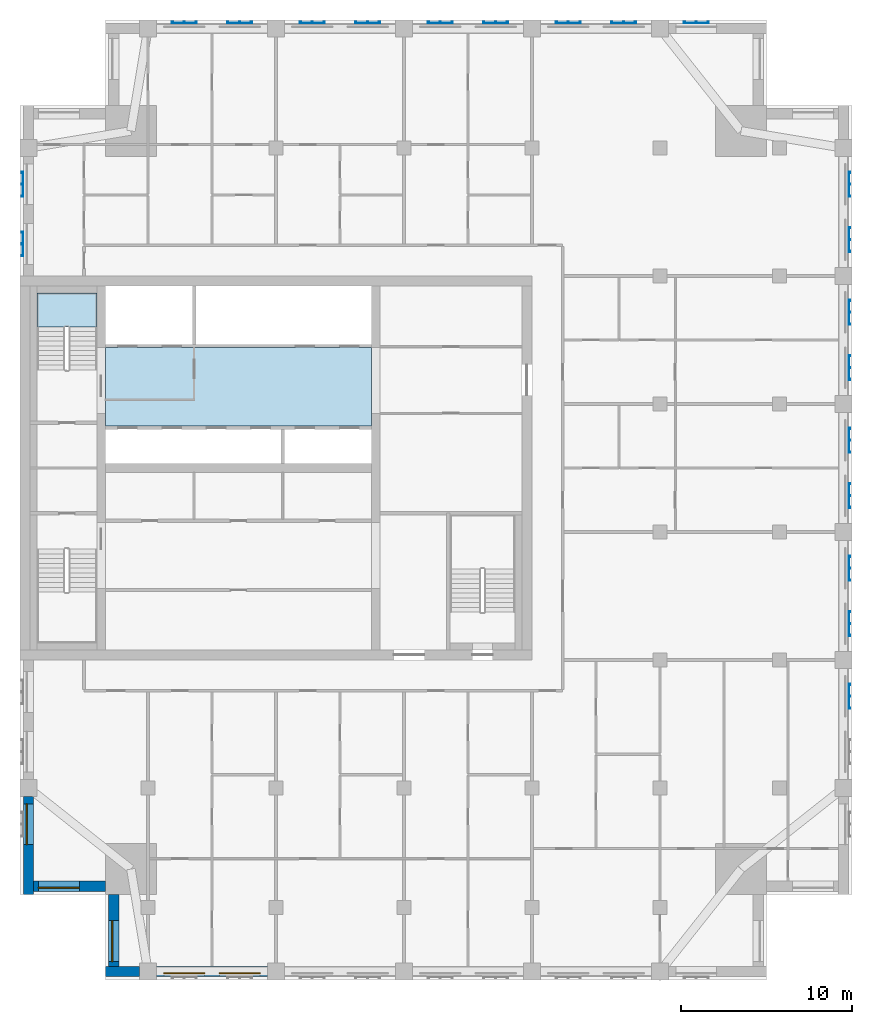
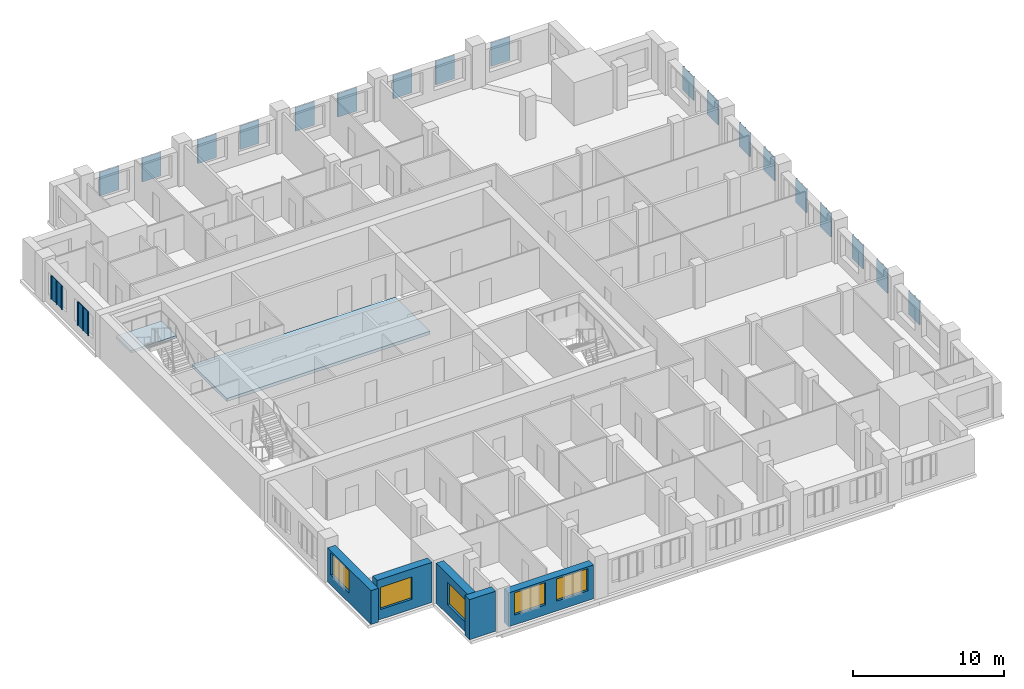
# One storey, part 2 of 11: 20 plates, 5 walls, 5 windows, 2 slabs, 5 openings, 1 element without a shape of its own.
"""IFC4 building model written with IfcOpenShell, lengths in metres."""

from ifc_helpers import new_model, si_unit, direction, frame, frame_2d, origin, place, context, subcontext, project, spatial, polyline, rectangle, outline, extrude, material, layer, layer_set, type_object, element, fill, aggregate, save


model = new_model("IFC4")

# Units and contexts
model_context = context("Model", 3, precision=1e-05, world=origin(), true_north=direction((0.0, 1.0)))
body_context = subcontext(model_context, "Body", "Model", "MODEL_VIEW")
ifc_project = project(units=[si_unit("LENGTHUNIT", "METRE"), si_unit("AREAUNIT", "SQUARE_METRE"), si_unit("VOLUMEUNIT", "CUBIC_METRE"), si_unit("PLANEANGLEUNIT", "RADIAN"), si_unit("MASSUNIT", "GRAM", prefix="KILO")], contexts=[model_context])

# Site, building, storey
site_placement = place(None, origin())
site = spatial("IfcSite", under=ifc_project, at=site_placement, CompositionType="ELEMENT")
building_placement = place(site_placement, origin())
building = spatial("IfcBuilding", under=site, at=building_placement, Name="Tamorin Gate", CompositionType="ELEMENT")
storey_placement = place(building_placement, frame((0.0, 0.0, 226.699951171875)))
storey = spatial("IfcBuildingStorey", under=building, at=storey_placement, Name="L56", CompositionType="ELEMENT", Elevation=226.699951171875)

# Slab
ifc_material_1 = material(Name="Concrete C40/50", Category="concrete")
ifc_layer_1 = layer(ifc_material_1, 0.25)
ifc_layer_set_1 = layer_set([ifc_layer_1], Name="Core floor slab 250 C40/50")
slab_type_1 = type_object("IfcSlabType", Name="Core floor slab 250 C40/50", PredefinedType="FLOOR", material=ifc_layer_set_1)
slab_1_placement = place(storey_placement, frame((0.0, 0.0, -0.25)))
element("IfcSlab", 1, at=slab_1_placement, inside=storey, type_object=slab_type_1, Name="Core floor L56", PredefinedType="FLOOR", context=body_context, shape_type="SweptSolid", body=[
    extrude(outline(polyline([(50.60009765625, 73.699951171875), (35.0, 73.699951171875), (35.0, 78.300048828125), (50.60009765625, 78.300048828125), (50.60009765625, 73.699951171875)])), origin(), (0.0, 0.0, 1.0), 0.25),
])

# Stair, slab
stair_type = type_object("IfcStairType", Name="Exit stair", PredefinedType="HALF_TURN_STAIR", material=ifc_material_1)
stair_placement = place(storey_placement, origin())
stair = element("IfcStair", 2, at=stair_placement, inside=storey, type_object=stair_type, Name="L56 stair ST2", PredefinedType="HALF_TURN_STAIR")
ifc_layer_2 = layer(ifc_material_1, 0.199951171875)
ifc_layer_set_2 = layer_set([ifc_layer_2], Name="Exit stair landing 200")
slab_type_2 = type_object("IfcSlabType", Name="Exit stair landing 200", PredefinedType="LANDING", material=ifc_layer_set_2)
slab_2_placement = place(storey_placement, frame((0.0, 0.0, 1.550048828125)))
slab_2 = element("IfcSlab", 3, at=slab_2_placement, type_object=slab_type_2, Name="ST2 landing 1", PredefinedType="LANDING", context=body_context, shape_type="SweptSolid", body=[
    extrude(outline(polyline([(34.5, 79.52001953125), (34.5, 81.5), (31.0, 81.5), (31.0, 79.52001953125), (34.5, 79.52001953125)])), origin(), (0.0, 0.0, 1.0), 0.199951171875),
])
aggregate(stair, [slab_2])

# Plates
ifc_material_2 = material(Name="Perforated pale aluminium sheet", Category="aluminium")
ifc_layer_3 = layer(ifc_material_2, 0.0400390625)
ifc_layer_set_3 = layer_set([ifc_layer_3], Name="Pale metal solar screen 1440")
plate_type = type_object("IfcPlateType", Name="Pale metal solar screen 1440", PredefinedType="SHEET", material=ifc_layer_set_3)
plate_1_placement = place(storey_placement, frame((0.0, 0.0, 0.737548828125)))
element("IfcPlate", 4, at=plate_1_placement, inside=storey, type_object=plate_type, Name="Perforated solar screen", PredefinedType="SHEET", context=body_context, shape_type="SweptSolid", body=[
    extrude(outline(polyline([(78.590087890625, 57.155029296875), (78.550048828125, 57.155029296875), (78.550048828125, 57.215087890625), (78.550048828125, 57.844970703125), (78.550048828125, 57.905029296875), (78.550048828125, 58.534912109375), (78.550048828125, 58.594970703125), (78.590087890625, 58.594970703125), (78.64990234375, 58.594970703125), (78.64990234375, 58.534912109375), (78.590087890625, 58.534912109375), (78.590087890625, 57.905029296875), (78.64990234375, 57.905029296875), (78.64990234375, 57.844970703125), (78.590087890625, 57.844970703125), (78.590087890625, 57.215087890625), (78.64990234375, 57.215087890625), (78.64990234375, 57.155029296875), (78.590087890625, 57.155029296875)])), origin(), (0.0, 0.0, 1.0), 1.925048828125),
])
plate_2_placement = place(storey_placement, frame((0.0, 0.0, 0.737548828125)))
element("IfcPlate", 5, at=plate_2_placement, inside=storey, type_object=plate_type, Name="Perforated solar screen", PredefinedType="SHEET", context=body_context, shape_type="SweptSolid", body=[
    extrude(outline(polyline([(78.590087890625, 61.405029296875), (78.550048828125, 61.405029296875), (78.550048828125, 61.465087890625), (78.550048828125, 62.094970703125), (78.550048828125, 62.155029296875), (78.550048828125, 62.784912109375), (78.550048828125, 62.844970703125), (78.590087890625, 62.844970703125), (78.64990234375, 62.844970703125), (78.64990234375, 62.784912109375), (78.590087890625, 62.784912109375), (78.590087890625, 62.155029296875), (78.64990234375, 62.155029296875), (78.64990234375, 62.094970703125), (78.590087890625, 62.094970703125), (78.590087890625, 61.465087890625), (78.64990234375, 61.465087890625), (78.64990234375, 61.405029296875), (78.590087890625, 61.405029296875)])), origin(), (0.0, 0.0, 1.0), 1.925048828125),
])
plate_3_placement = place(storey_placement, frame((0.0, 0.0, 0.737548828125)))
element("IfcPlate", 6, at=plate_3_placement, inside=storey, type_object=plate_type, Name="Perforated solar screen", PredefinedType="SHEET", context=body_context, shape_type="SweptSolid", body=[
    extrude(outline(polyline([(78.590087890625, 64.655029296875), (78.550048828125, 64.655029296875), (78.550048828125, 64.715087890625), (78.550048828125, 65.344970703125), (78.550048828125, 65.405029296875), (78.550048828125, 66.034912109375), (78.550048828125, 66.094970703125), (78.590087890625, 66.094970703125), (78.64990234375, 66.094970703125), (78.64990234375, 66.034912109375), (78.590087890625, 66.034912109375), (78.590087890625, 65.405029296875), (78.64990234375, 65.405029296875), (78.64990234375, 65.344970703125), (78.590087890625, 65.344970703125), (78.590087890625, 64.715087890625), (78.64990234375, 64.715087890625), (78.64990234375, 64.655029296875), (78.590087890625, 64.655029296875)])), origin(), (0.0, 0.0, 1.0), 1.925048828125),
])
plate_4_placement = place(storey_placement, frame((0.0, 0.0, 0.737548828125)))
element("IfcPlate", 7, at=plate_4_placement, inside=storey, type_object=plate_type, Name="Perforated solar screen", PredefinedType="SHEET", context=body_context, shape_type="SweptSolid", body=[
    extrude(outline(polyline([(78.590087890625, 68.905029296875), (78.550048828125, 68.905029296875), (78.550048828125, 68.965087890625), (78.550048828125, 69.594970703125), (78.550048828125, 69.655029296875), (78.550048828125, 70.284912109375), (78.550048828125, 70.344970703125), (78.590087890625, 70.344970703125), (78.64990234375, 70.344970703125), (78.64990234375, 70.284912109375), (78.590087890625, 70.284912109375), (78.590087890625, 69.655029296875), (78.64990234375, 69.655029296875), (78.64990234375, 69.594970703125), (78.590087890625, 69.594970703125), (78.590087890625, 68.965087890625), (78.64990234375, 68.965087890625), (78.64990234375, 68.905029296875), (78.590087890625, 68.905029296875)])), origin(), (0.0, 0.0, 1.0), 1.925048828125),
])
plate_5_placement = place(storey_placement, frame((0.0, 0.0, 0.737548828125)))
element("IfcPlate", 8, at=plate_5_placement, inside=storey, type_object=plate_type, Name="Perforated solar screen", PredefinedType="SHEET", context=body_context, shape_type="SweptSolid", body=[
    extrude(outline(polyline([(78.590087890625, 72.155029296875), (78.550048828125, 72.155029296875), (78.550048828125, 72.215087890625), (78.550048828125, 72.844970703125), (78.550048828125, 72.905029296875), (78.550048828125, 73.534912109375), (78.550048828125, 73.594970703125), (78.590087890625, 73.594970703125), (78.64990234375, 73.594970703125), (78.64990234375, 73.534912109375), (78.590087890625, 73.534912109375), (78.590087890625, 72.905029296875), (78.64990234375, 72.905029296875), (78.64990234375, 72.844970703125), (78.590087890625, 72.844970703125), (78.590087890625, 72.215087890625), (78.64990234375, 72.215087890625), (78.64990234375, 72.155029296875), (78.590087890625, 72.155029296875)])), origin(), (0.0, 0.0, 1.0), 1.925048828125),
])
plate_6_placement = place(storey_placement, frame((0.0, 0.0, 0.737548828125)))
element("IfcPlate", 9, at=plate_6_placement, inside=storey, type_object=plate_type, Name="Perforated solar screen", PredefinedType="SHEET", context=body_context, shape_type="SweptSolid", body=[
    extrude(outline(polyline([(78.590087890625, 76.405029296875), (78.550048828125, 76.405029296875), (78.550048828125, 76.465087890625), (78.550048828125, 77.094970703125), (78.550048828125, 77.155029296875), (78.550048828125, 77.784912109375), (78.550048828125, 77.844970703125), (78.590087890625, 77.844970703125), (78.64990234375, 77.844970703125), (78.64990234375, 77.784912109375), (78.590087890625, 77.784912109375), (78.590087890625, 77.155029296875), (78.64990234375, 77.155029296875), (78.64990234375, 77.094970703125), (78.590087890625, 77.094970703125), (78.590087890625, 76.465087890625), (78.64990234375, 76.465087890625), (78.64990234375, 76.405029296875), (78.590087890625, 76.405029296875)])), origin(), (0.0, 0.0, 1.0), 1.925048828125),
])
plate_7_placement = place(storey_placement, frame((0.0, 0.0, 0.737548828125)))
element("IfcPlate", 10, at=plate_7_placement, inside=storey, type_object=plate_type, Name="Perforated solar screen", PredefinedType="SHEET", context=body_context, shape_type="SweptSolid", body=[
    extrude(outline(polyline([(78.590087890625, 79.655029296875), (78.550048828125, 79.655029296875), (78.550048828125, 79.715087890625), (78.550048828125, 80.344970703125), (78.550048828125, 80.405029296875), (78.550048828125, 81.034912109375), (78.550048828125, 81.094970703125), (78.590087890625, 81.094970703125), (78.64990234375, 81.094970703125), (78.64990234375, 81.034912109375), (78.590087890625, 81.034912109375), (78.590087890625, 80.405029296875), (78.64990234375, 80.405029296875), (78.64990234375, 80.344970703125), (78.590087890625, 80.344970703125), (78.590087890625, 79.715087890625), (78.64990234375, 79.715087890625), (78.64990234375, 79.655029296875), (78.590087890625, 79.655029296875)])), origin(), (0.0, 0.0, 1.0), 1.925048828125),
])
plate_8_placement = place(storey_placement, frame((0.0, 0.0, 0.737548828125)))
element("IfcPlate", 11, at=plate_8_placement, inside=storey, type_object=plate_type, Name="Perforated solar screen", PredefinedType="SHEET", context=body_context, shape_type="SweptSolid", body=[
    extrude(outline(polyline([(78.590087890625, 83.905029296875), (78.550048828125, 83.905029296875), (78.550048828125, 83.965087890625), (78.550048828125, 84.594970703125), (78.550048828125, 84.655029296875), (78.550048828125, 85.284912109375), (78.550048828125, 85.344970703125), (78.590087890625, 85.344970703125), (78.64990234375, 85.344970703125), (78.64990234375, 85.284912109375), (78.590087890625, 85.284912109375), (78.590087890625, 84.655029296875), (78.64990234375, 84.655029296875), (78.64990234375, 84.594970703125), (78.590087890625, 84.594970703125), (78.590087890625, 83.965087890625), (78.64990234375, 83.965087890625), (78.64990234375, 83.905029296875), (78.590087890625, 83.905029296875)])), origin(), (0.0, 0.0, 1.0), 1.925048828125),
])
plate_9_placement = place(storey_placement, frame((0.0, 0.0, 0.737548828125)))
element("IfcPlate", 12, at=plate_9_placement, inside=storey, type_object=plate_type, Name="Perforated solar screen", PredefinedType="SHEET", context=body_context, shape_type="SweptSolid", body=[
    extrude(outline(polyline([(78.590087890625, 87.155029296875), (78.550048828125, 87.155029296875), (78.550048828125, 87.215087890625), (78.550048828125, 87.844970703125), (78.550048828125, 87.905029296875), (78.550048828125, 88.534912109375), (78.550048828125, 88.594970703125), (78.590087890625, 88.594970703125), (78.64990234375, 88.594970703125), (78.64990234375, 88.534912109375), (78.590087890625, 88.534912109375), (78.590087890625, 87.905029296875), (78.64990234375, 87.905029296875), (78.64990234375, 87.844970703125), (78.590087890625, 87.844970703125), (78.590087890625, 87.215087890625), (78.64990234375, 87.215087890625), (78.64990234375, 87.155029296875), (78.590087890625, 87.155029296875)])), origin(), (0.0, 0.0, 1.0), 1.925048828125),
])
plate_10_placement = place(storey_placement, frame((0.0, 0.0, 0.737548828125)))
element("IfcPlate", 13, at=plate_10_placement, inside=storey, type_object=plate_type, Name="Perforated solar screen", PredefinedType="SHEET", context=body_context, shape_type="SweptSolid", body=[
    extrude(outline(polyline([(70.344970703125, 97.340087890625), (70.344970703125, 97.300048828125), (70.284912109375, 97.300048828125), (69.655029296875, 97.300048828125), (69.594970703125, 97.300048828125), (68.965087890625, 97.300048828125), (68.905029296875, 97.300048828125), (68.905029296875, 97.300048828125), (68.905029296875, 97.340087890625), (68.905029296875, 97.340087890625), (68.905029296875, 97.39990234375), (68.965087890625, 97.39990234375), (68.965087890625, 97.340087890625), (69.594970703125, 97.340087890625), (69.594970703125, 97.39990234375), (69.655029296875, 97.39990234375), (69.655029296875, 97.340087890625), (70.284912109375, 97.340087890625), (70.284912109375, 97.39990234375), (70.344970703125, 97.39990234375), (70.344970703125, 97.340087890625)])), origin(), (0.0, 0.0, 1.0), 1.925048828125),
])
plate_11_placement = place(storey_placement, frame((0.0, 0.0, 0.737548828125)))
element("IfcPlate", 14, at=plate_11_placement, inside=storey, type_object=plate_type, Name="Perforated solar screen", PredefinedType="SHEET", context=body_context, shape_type="SweptSolid", body=[
    extrude(outline(polyline([(62.844970703125, 97.340087890625), (62.844970703125, 97.300048828125), (62.784912109375, 97.300048828125), (62.155029296875, 97.300048828125), (62.094970703125, 97.300048828125), (61.465087890625, 97.300048828125), (61.405029296875, 97.300048828125), (61.405029296875, 97.340087890625), (61.405029296875, 97.39990234375), (61.465087890625, 97.39990234375), (61.465087890625, 97.340087890625), (62.094970703125, 97.340087890625), (62.094970703125, 97.39990234375), (62.155029296875, 97.39990234375), (62.155029296875, 97.340087890625), (62.784912109375, 97.340087890625), (62.784912109375, 97.39990234375), (62.844970703125, 97.39990234375), (62.844970703125, 97.340087890625)])), origin(), (0.0, 0.0, 1.0), 1.925048828125),
])
plate_12_placement = place(storey_placement, frame((0.0, 0.0, 0.737548828125)))
element("IfcPlate", 15, at=plate_12_placement, inside=storey, type_object=plate_type, Name="Perforated solar screen", PredefinedType="SHEET", context=body_context, shape_type="SweptSolid", body=[
    extrude(outline(polyline([(66.094970703125, 97.340087890625), (66.094970703125, 97.300048828125), (66.034912109375, 97.300048828125), (65.405029296875, 97.300048828125), (65.344970703125, 97.300048828125), (64.715087890625, 97.300048828125), (64.655029296875, 97.300048828125), (64.655029296875, 97.340087890625), (64.655029296875, 97.39990234375), (64.715087890625, 97.39990234375), (64.715087890625, 97.340087890625), (65.344970703125, 97.340087890625), (65.344970703125, 97.39990234375), (65.405029296875, 97.39990234375), (65.405029296875, 97.340087890625), (66.034912109375, 97.340087890625), (66.034912109375, 97.39990234375), (66.094970703125, 97.39990234375), (66.094970703125, 97.340087890625)])), origin(), (0.0, 0.0, 1.0), 1.925048828125),
])
plate_13_placement = place(storey_placement, frame((0.0, 0.0, 0.737548828125)))
element("IfcPlate", 16, at=plate_13_placement, inside=storey, type_object=plate_type, Name="Perforated solar screen", PredefinedType="SHEET", context=body_context, shape_type="SweptSolid", body=[
    extrude(outline(polyline([(55.344970703125, 97.340087890625), (55.344970703125, 97.300048828125), (55.284912109375, 97.300048828125), (54.655029296875, 97.300048828125), (54.594970703125, 97.300048828125), (53.965087890625, 97.300048828125), (53.905029296875, 97.300048828125), (53.905029296875, 97.340087890625), (53.905029296875, 97.39990234375), (53.965087890625, 97.39990234375), (53.965087890625, 97.340087890625), (54.594970703125, 97.340087890625), (54.594970703125, 97.39990234375), (54.655029296875, 97.39990234375), (54.655029296875, 97.340087890625), (55.284912109375, 97.340087890625), (55.284912109375, 97.39990234375), (55.344970703125, 97.39990234375), (55.344970703125, 97.340087890625)])), origin(), (0.0, 0.0, 1.0), 1.925048828125),
])
plate_14_placement = place(storey_placement, frame((0.0, 0.0, 0.737548828125)))
element("IfcPlate", 17, at=plate_14_placement, inside=storey, type_object=plate_type, Name="Perforated solar screen", PredefinedType="SHEET", context=body_context, shape_type="SweptSolid", body=[
    extrude(outline(polyline([(58.594970703125, 97.340087890625), (58.594970703125, 97.300048828125), (58.534912109375, 97.300048828125), (57.905029296875, 97.300048828125), (57.844970703125, 97.300048828125), (57.215087890625, 97.300048828125), (57.155029296875, 97.300048828125), (57.155029296875, 97.340087890625), (57.155029296875, 97.39990234375), (57.215087890625, 97.39990234375), (57.215087890625, 97.340087890625), (57.844970703125, 97.340087890625), (57.844970703125, 97.39990234375), (57.905029296875, 97.39990234375), (57.905029296875, 97.340087890625), (58.534912109375, 97.340087890625), (58.534912109375, 97.39990234375), (58.594970703125, 97.39990234375), (58.594970703125, 97.340087890625)])), origin(), (0.0, 0.0, 1.0), 1.925048828125),
])
plate_15_placement = place(storey_placement, frame((0.0, 0.0, 0.737548828125)))
element("IfcPlate", 18, at=plate_15_placement, inside=storey, type_object=plate_type, Name="Perforated solar screen", PredefinedType="SHEET", context=body_context, shape_type="SweptSolid", body=[
    extrude(outline(polyline([(47.844970703125, 97.340087890625), (47.844970703125, 97.300048828125), (47.784912109375, 97.300048828125), (47.155029296875, 97.300048828125), (47.094970703125, 97.300048828125), (46.465087890625, 97.300048828125), (46.405029296875, 97.300048828125), (46.405029296875, 97.340087890625), (46.405029296875, 97.39990234375), (46.465087890625, 97.39990234375), (46.465087890625, 97.340087890625), (47.094970703125, 97.340087890625), (47.094970703125, 97.39990234375), (47.155029296875, 97.39990234375), (47.155029296875, 97.340087890625), (47.784912109375, 97.340087890625), (47.784912109375, 97.39990234375), (47.844970703125, 97.39990234375), (47.844970703125, 97.340087890625)])), origin(), (0.0, 0.0, 1.0), 1.925048828125),
])
plate_16_placement = place(storey_placement, frame((0.0, 0.0, 0.737548828125)))
element("IfcPlate", 19, at=plate_16_placement, inside=storey, type_object=plate_type, Name="Perforated solar screen", PredefinedType="SHEET", context=body_context, shape_type="SweptSolid", body=[
    extrude(outline(polyline([(51.094970703125, 97.340087890625), (51.094970703125, 97.300048828125), (51.034912109375, 97.300048828125), (50.405029296875, 97.300048828125), (50.344970703125, 97.300048828125), (49.715087890625, 97.300048828125), (49.655029296875, 97.300048828125), (49.655029296875, 97.340087890625), (49.655029296875, 97.39990234375), (49.715087890625, 97.39990234375), (49.715087890625, 97.340087890625), (50.344970703125, 97.340087890625), (50.344970703125, 97.39990234375), (50.405029296875, 97.39990234375), (50.405029296875, 97.340087890625), (51.034912109375, 97.340087890625), (51.034912109375, 97.39990234375), (51.094970703125, 97.39990234375), (51.094970703125, 97.340087890625)])), origin(), (0.0, 0.0, 1.0), 1.925048828125),
])
plate_17_placement = place(storey_placement, frame((0.0, 0.0, 0.737548828125)))
element("IfcPlate", 20, at=plate_17_placement, inside=storey, type_object=plate_type, Name="Perforated solar screen", PredefinedType="SHEET", context=body_context, shape_type="SweptSolid", body=[
    extrude(outline(polyline([(40.344970703125, 97.340087890625), (40.344970703125, 97.300048828125), (40.284912109375, 97.300048828125), (39.655029296875, 97.300048828125), (39.594970703125, 97.300048828125), (38.965087890625, 97.300048828125), (38.905029296875, 97.300048828125), (38.905029296875, 97.340087890625), (38.905029296875, 97.39990234375), (38.965087890625, 97.39990234375), (38.965087890625, 97.340087890625), (39.594970703125, 97.340087890625), (39.594970703125, 97.39990234375), (39.655029296875, 97.39990234375), (39.655029296875, 97.340087890625), (40.284912109375, 97.340087890625), (40.284912109375, 97.39990234375), (40.344970703125, 97.39990234375), (40.344970703125, 97.340087890625)])), origin(), (0.0, 0.0, 1.0), 1.925048828125),
])
plate_18_placement = place(storey_placement, frame((0.0, 0.0, 0.737548828125)))
element("IfcPlate", 21, at=plate_18_placement, inside=storey, type_object=plate_type, Name="Perforated solar screen", PredefinedType="SHEET", context=body_context, shape_type="SweptSolid", body=[
    extrude(outline(polyline([(43.594970703125, 97.340087890625), (43.594970703125, 97.300048828125), (43.534912109375, 97.300048828125), (42.905029296875, 97.300048828125), (42.844970703125, 97.300048828125), (42.215087890625, 97.300048828125), (42.155029296875, 97.300048828125), (42.155029296875, 97.340087890625), (42.155029296875, 97.39990234375), (42.215087890625, 97.39990234375), (42.215087890625, 97.340087890625), (42.844970703125, 97.340087890625), (42.844970703125, 97.39990234375), (42.905029296875, 97.39990234375), (42.905029296875, 97.340087890625), (43.534912109375, 97.340087890625), (43.534912109375, 97.39990234375), (43.594970703125, 97.39990234375), (43.594970703125, 97.340087890625)])), origin(), (0.0, 0.0, 1.0), 1.925048828125),
])
plate_19_placement = place(storey_placement, frame((0.0, 0.0, 0.737548828125)))
element("IfcPlate", 22, at=plate_19_placement, inside=storey, type_object=plate_type, Name="Perforated solar screen", PredefinedType="SHEET", context=body_context, shape_type="SweptSolid", body=[
    extrude(outline(polyline([(30.159912109375, 85.094970703125), (30.199951171875, 85.094970703125), (30.199951171875, 85.034912109375), (30.199951171875, 84.405029296875), (30.199951171875, 84.344970703125), (30.199951171875, 83.715087890625), (30.199951171875, 83.655029296875), (30.159912109375, 83.655029296875), (30.10009765625, 83.655029296875), (30.10009765625, 83.715087890625), (30.159912109375, 83.715087890625), (30.159912109375, 84.344970703125), (30.10009765625, 84.344970703125), (30.10009765625, 84.405029296875), (30.159912109375, 84.405029296875), (30.159912109375, 85.034912109375), (30.10009765625, 85.034912109375), (30.10009765625, 85.094970703125), (30.159912109375, 85.094970703125)])), origin(), (0.0, 0.0, 1.0), 1.925048828125),
])
plate_20_placement = place(storey_placement, frame((0.0, 0.0, 0.737548828125)))
element("IfcPlate", 23, at=plate_20_placement, inside=storey, type_object=plate_type, Name="Perforated solar screen", PredefinedType="SHEET", context=body_context, shape_type="SweptSolid", body=[
    extrude(outline(polyline([(30.159912109375, 88.594970703125), (30.199951171875, 88.594970703125), (30.199951171875, 88.534912109375), (30.199951171875, 87.905029296875), (30.199951171875, 87.844970703125), (30.199951171875, 87.215087890625), (30.199951171875, 87.155029296875), (30.199951171875, 87.155029296875), (30.159912109375, 87.155029296875), (30.159912109375, 87.155029296875), (30.10009765625, 87.155029296875), (30.10009765625, 87.215087890625), (30.159912109375, 87.215087890625), (30.159912109375, 87.844970703125), (30.10009765625, 87.844970703125), (30.10009765625, 87.905029296875), (30.159912109375, 87.905029296875), (30.159912109375, 88.534912109375), (30.10009765625, 88.534912109375), (30.10009765625, 88.594970703125), (30.159912109375, 88.594970703125)])), origin(), (0.0, 0.0, 1.0), 1.925048828125),
])

# Wall
ifc_material_3 = material(Name="Precast concrete C40/50", Category="concrete")
ifc_layer_4 = layer(ifc_material_3, 0.60009765625)
ifc_layer_set_4 = layer_set([ifc_layer_4], Name="Precast concrete C40/50")
wall_type = type_object("IfcWallType", Name="Board-marked concrete facade panel 600", PredefinedType="SOLIDWALL", material=ifc_layer_set_4)
wall_1_placement = place(storey_placement, frame((35.0, 41.75, 0.0), z_axis=(0.0, 0.0, 1.0), x_axis=(1.0, 0.0, 0.0)))
element("IfcWall", 24, at=wall_1_placement, inside=storey, type_object=wall_type, Name="Facade panel", PredefinedType="SOLIDWALL", context=body_context, shape_type="SweptSolid", body=[
    extrude(rectangle(XDim=2.0, YDim=0.60009765625, at=frame_2d((1.0, 0.0))), origin(), (0.0, 0.0, 1.0), 3.25),
])

# Wall, openings, windows
wall_2_placement = place(storey_placement, frame((38.0, 41.75, 0.0), z_axis=(0.0, 0.0, 1.0), x_axis=(1.0, 0.0, 0.0)))
wall_2 = element("IfcWall", 25, at=wall_2_placement, inside=storey, type_object=wall_type, Name="Facade panel", PredefinedType="SOLIDWALL", context=body_context, shape_type="SweptSolid", body=[
    extrude(rectangle(XDim=6.5, YDim=0.60009765625, at=frame_2d((3.25, 0.0))), origin(), (0.0, 0.0, 1.0), 2.75),
])
opening_1_placement = place(wall_2_placement, frame((0.425048828125, 0.0, 0.800048828125)))
opening_1 = element("IfcOpeningElement", 26, at=opening_1_placement, cuts=wall_2, Name="Opening WN1", PredefinedType="OPENING", context=body_context, shape_type="SweptSolid", body=[
    extrude(rectangle(XDim=2.39990234375, YDim=1.800048828125, at=frame_2d((1.199951171875, 0.89990234375))), frame((0.0, 0.31005859375, 0.0), z_axis=(0.0, -1.0, 0.0), x_axis=(1.0, 0.0, 0.0)), (0.0, 0.0, 1.0), 0.6201171875),
])
opening_2_placement = place(wall_2_placement, frame((3.675048828125, 0.0, 0.800048828125)))
opening_2 = element("IfcOpeningElement", 27, at=opening_2_placement, cuts=wall_2, Name="Opening WN1", PredefinedType="OPENING", context=body_context, shape_type="SweptSolid", body=[
    extrude(rectangle(XDim=2.39990234375, YDim=1.800048828125, at=frame_2d((1.199951171875, 0.89990234375))), frame((0.0, 0.31005859375, 0.0), z_axis=(0.0, -1.0, 0.0), x_axis=(1.0, 0.0, 0.0)), (0.0, 0.0, 1.0), 0.6201171875),
])
ifc_material_4 = material(Name="Clear glass in aluminium frame", Category="aluminium")
window_type = type_object("IfcWindowType", Name="Deep-set window 2400x1800", PartitioningType="SINGLE_PANEL", PredefinedType="WINDOW", material=ifc_material_4)
window_1_placement = place(opening_1_placement, origin())
window_1 = element("IfcWindow", 28, at=window_1_placement, inside=storey, type_object=window_type, Name="Deep-set window", OverallHeight=1.800048828125, OverallWidth=2.39990234375, PartitioningType="SINGLE_PANEL", PredefinedType="WINDOW", context=body_context, shape_type="SweptSolid", body=[
    extrude(rectangle(XDim=2.39990234375, YDim=1.800048828125, at=frame_2d((1.199951171875, 0.89990234375))), frame((0.0, -0.070068359375, 0.0), z_axis=(0.0, -1.0, 0.0), x_axis=(1.0, 0.0, 0.0)), (0.0, 0.0, 1.0), 0.06005859375),
])
fill(opening_1, window_1)
window_2_placement = place(opening_2_placement, origin())
window_2 = element("IfcWindow", 29, at=window_2_placement, inside=storey, type_object=window_type, Name="Deep-set window", OverallHeight=1.800048828125, OverallWidth=2.39990234375, PartitioningType="SINGLE_PANEL", PredefinedType="WINDOW", context=body_context, shape_type="SweptSolid", body=[
    extrude(rectangle(XDim=2.39990234375, YDim=1.800048828125, at=frame_2d((1.199951171875, 0.89990234375))), frame((0.0, -0.070068359375, 0.0), z_axis=(0.0, -1.0, 0.0), x_axis=(1.0, 0.0, 0.0)), (0.0, 0.0, 1.0), 0.06005859375),
])
fill(opening_2, window_2)

# Wall, opening, window
wall_3_placement = place(storey_placement, frame((30.5, 52.0, 0.0), z_axis=(0.0, 0.0, 1.0), x_axis=(0.0, -1.0, 0.0)))
wall_3 = element("IfcWall", 30, at=wall_3_placement, inside=storey, type_object=wall_type, Name="Facade panel", PredefinedType="SOLIDWALL", context=body_context, shape_type="SweptSolid", body=[
    extrude(rectangle(XDim=5.75, YDim=0.60009765625, at=frame_2d((2.875, 0.0))), origin(), (0.0, 0.0, 1.0), 2.75),
])
opening_3_placement = place(wall_3_placement, frame((0.425048828125, 0.0, 0.800048828125)))
opening_3 = element("IfcOpeningElement", 31, at=opening_3_placement, cuts=wall_3, Name="Opening WN1", PredefinedType="OPENING", context=body_context, shape_type="SweptSolid", body=[
    extrude(rectangle(XDim=2.39990234375, YDim=1.800048828125, at=frame_2d((1.199951171875, 0.89990234375))), frame((0.0, 0.31005859375, 0.0), z_axis=(0.0, -1.0, 0.0), x_axis=(1.0, 0.0, 0.0)), (0.0, 0.0, 1.0), 0.6201171875),
])
window_3_placement = place(opening_3_placement, origin())
window_3 = element("IfcWindow", 32, at=window_3_placement, inside=storey, type_object=window_type, Name="Deep-set window", OverallHeight=1.800048828125, OverallWidth=2.39990234375, PartitioningType="SINGLE_PANEL", PredefinedType="WINDOW", context=body_context, shape_type="SweptSolid", body=[
    extrude(rectangle(XDim=2.39990234375, YDim=1.800048828125, at=frame_2d((1.199951171875, 0.89990234375))), frame((0.0, -0.070068359375, 0.0), z_axis=(0.0, -1.0, 0.0), x_axis=(1.0, 0.0, 0.0)), (0.0, 0.0, 1.0), 0.06005859375),
])
fill(opening_3, window_3)

wall_4_placement = place(storey_placement, frame((30.800048828125, 46.75, 0.0), z_axis=(0.0, 0.0, 1.0), x_axis=(1.0, 0.0, 0.0)))
wall_4 = element("IfcWall", 33, at=wall_4_placement, inside=storey, type_object=wall_type, Name="Facade panel", PredefinedType="SOLIDWALL", context=body_context, shape_type="SweptSolid", body=[
    extrude(rectangle(XDim=4.199951171875, YDim=0.60009765625, at=frame_2d((2.10009765625, 0.0))), origin(), (0.0, 0.0, 1.0), 3.25),
])
opening_4_placement = place(wall_4_placement, frame((0.27490234375, 0.0, 0.800048828125)))
opening_4 = element("IfcOpeningElement", 34, at=opening_4_placement, cuts=wall_4, Name="Opening WN1", PredefinedType="OPENING", context=body_context, shape_type="SweptSolid", body=[
    extrude(rectangle(XDim=2.39990234375, YDim=1.800048828125, at=frame_2d((1.199951171875, 0.89990234375))), frame((0.0, 0.31005859375, 0.0), z_axis=(0.0, -1.0, 0.0), x_axis=(1.0, 0.0, 0.0)), (0.0, 0.0, 1.0), 0.6201171875),
])
window_4_placement = place(opening_4_placement, origin())
window_4 = element("IfcWindow", 35, at=window_4_placement, inside=storey, type_object=window_type, Name="Deep-set window", OverallHeight=1.800048828125, OverallWidth=2.39990234375, PartitioningType="SINGLE_PANEL", PredefinedType="WINDOW", context=body_context, shape_type="SweptSolid", body=[
    extrude(rectangle(XDim=2.39990234375, YDim=1.800048828125, at=frame_2d((1.199951171875, 0.89990234375))), frame((0.0, -0.070068359375, 0.0), z_axis=(0.0, -1.0, 0.0), x_axis=(1.0, 0.0, 0.0)), (0.0, 0.0, 1.0), 0.06005859375),
])
fill(opening_4, window_4)

wall_5_placement = place(storey_placement, frame((35.5, 46.25, 0.0), z_axis=(0.0, 0.0, 1.0), x_axis=(0.0, -1.0, 0.0)))
wall_5 = element("IfcWall", 36, at=wall_5_placement, inside=storey, type_object=wall_type, Name="Facade panel", PredefinedType="SOLIDWALL", context=body_context, shape_type="SweptSolid", body=[
    extrude(rectangle(XDim=4.199951171875, YDim=0.60009765625, at=frame_2d((2.10009765625, 0.0))), origin(), (0.0, 0.0, 1.0), 3.25),
])
opening_5_placement = place(wall_5_placement, frame((1.52490234375, 0.0, 0.800048828125)))
opening_5 = element("IfcOpeningElement", 37, at=opening_5_placement, cuts=wall_5, Name="Opening WN1", PredefinedType="OPENING", context=body_context, shape_type="SweptSolid", body=[
    extrude(rectangle(XDim=2.39990234375, YDim=1.800048828125, at=frame_2d((1.199951171875, 0.89990234375))), frame((0.0, 0.31005859375, 0.0), z_axis=(0.0, -1.0, 0.0), x_axis=(1.0, 0.0, 0.0)), (0.0, 0.0, 1.0), 0.6201171875),
])
window_5_placement = place(opening_5_placement, origin())
window_5 = element("IfcWindow", 38, at=window_5_placement, inside=storey, type_object=window_type, Name="Deep-set window", OverallHeight=1.800048828125, OverallWidth=2.39990234375, PartitioningType="SINGLE_PANEL", PredefinedType="WINDOW", context=body_context, shape_type="SweptSolid", body=[
    extrude(rectangle(XDim=2.39990234375, YDim=1.800048828125, at=frame_2d((1.199951171875, 0.89990234375))), frame((0.0, -0.070068359375, 0.0), z_axis=(0.0, -1.0, 0.0), x_axis=(1.0, 0.0, 0.0)), (0.0, 0.0, 1.0), 0.06005859375),
])
fill(opening_5, window_5)

save(model, "model.ifc")
